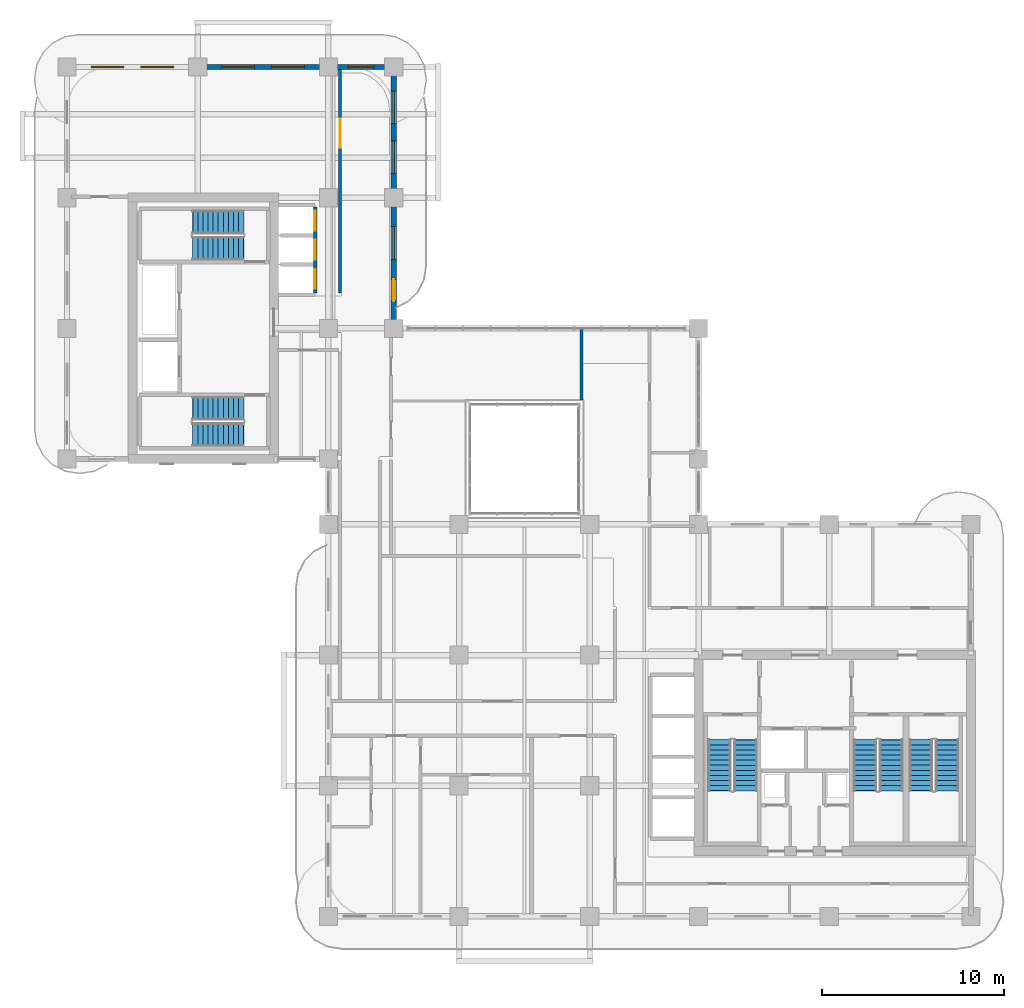
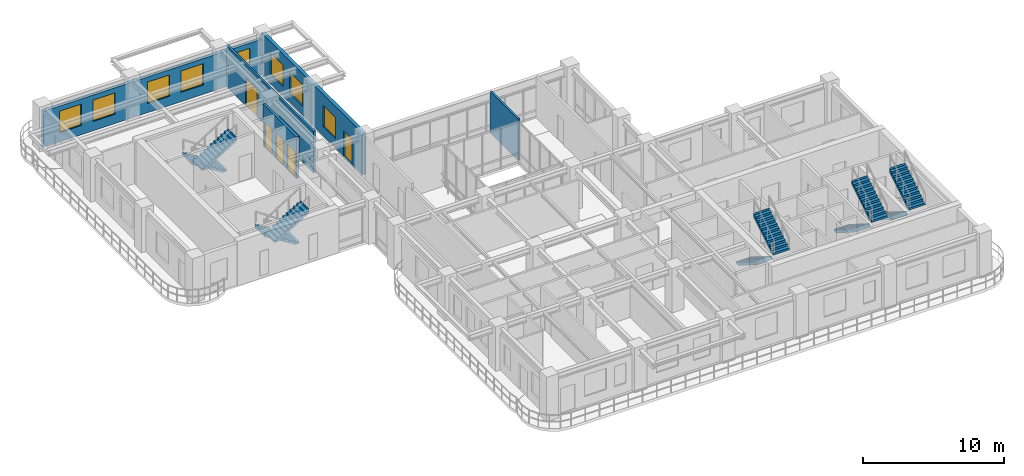
# One storey, part 15 of 19: 10 stair flights, 8 windows, 5 doors, 5 walls, 13 openings, 5 elements without a shape of their own.
"""IFC4 building model written with IfcOpenShell, lengths in metres."""

import ifcopenshell
import ifcopenshell.guid

model = None  # the IFC model being written
_history = None  # IfcOwnerHistory: only IFC2X3 demands one
_inside = {}  # id of a spatial element -> (the spatial element, [elements in it])
_under = {}  # id of a project, library or spatial element -> (it, [spatial elements below it])
_declared = {}  # id of a project -> (the project, [libraries it declares])
_typed = {}  # id of a type object -> (the type object, [elements of that type])
_made_of = {}  # id of a material, layer set ... -> (it, [elements and type objects made of it])


def new_model(schema):
    """Start an empty IFC model of exactly this schema.

    Asked for "IFC4X3", IfcOpenShell would pick the latest addendum, in which some entities
    have other attributes; the version numbers below select the first issue.
    IFC2X3 requires an IfcOwnerHistory on every rooted entity: one is made here for all.
    """
    global model, _history
    if schema == "IFC4X3":
        model = ifcopenshell.file(schema_version=(4, 3, 0, 0))
    else:
        model = ifcopenshell.file(schema=schema)
    _inside.clear()
    _under.clear()
    _declared.clear()
    _typed.clear()
    _made_of.clear()
    _history = None
    if model.schema == "IFC2X3":
        org = make("IfcOrganization", Name="unknown")
        user = make(
            "IfcPersonAndOrganization",
            ThePerson=make("IfcPerson", FamilyName="unknown"),
            TheOrganization=org,
        )
        app = make(
            "IfcApplication",
            ApplicationDeveloper=org,
            Version="unknown",
            ApplicationFullName="unknown",
            ApplicationIdentifier="unknown",
        )
        _history = make(
            "IfcOwnerHistory",
            OwningUser=user,
            OwningApplication=app,
            ChangeAction="ADDED",
            CreationDate=0,
        )
    return model


def make(cls, **values):
    """One entity of the class cls with the attributes given. An attribute that is None is left unset."""
    return model.create_entity(
        cls, **{name: value for name, value in values.items() if value is not None}
    )


def rooted(cls, **values):
    """An entity with a GlobalId (a new one), such as an element, a storey or a relation."""
    return make(cls, GlobalId=ifcopenshell.guid.new(), OwnerHistory=_history, **values)


def si_unit(unit_type, name, prefix=None):
    """IfcSIUnit, for example si_unit("LENGTHUNIT", "METRE", prefix="MILLI")."""
    return make("IfcSIUnit", UnitType=unit_type, Prefix=prefix, Name=name)


def derived_unit(unit_type, elements):
    """IfcDerivedUnit: a product of units, each with its exponent."""
    return make(
        "IfcDerivedUnit",
        Elements=[
            make("IfcDerivedUnitElement", Unit=unit, Exponent=power)
            for unit, power in elements
        ],
        UnitType=unit_type,
    )


def assignment(units):
    """IfcUnitAssignment: the units of a project."""
    return None if units is None else make("IfcUnitAssignment", Units=units)


def point(xyz):
    """IfcCartesianPoint."""
    return None if xyz is None else make("IfcCartesianPoint", Coordinates=xyz)


def direction(xyz):
    """IfcDirection."""
    return None if xyz is None else make("IfcDirection", DirectionRatios=xyz)


def frame(location, z_axis=None, x_axis=None):
    """IfcAxis2Placement3D, a coordinate frame: its origin and axes. An axis left out is left unset."""
    return make(
        "IfcAxis2Placement3D",
        Location=point(location),
        Axis=direction(z_axis),
        RefDirection=direction(x_axis),
    )


def frame_2d(location, x_axis=None):
    """IfcAxis2Placement2D, a coordinate frame in the plane: its origin and x axis."""
    return make(
        "IfcAxis2Placement2D", Location=point(location), RefDirection=direction(x_axis)
    )


def origin():
    """The frame at (0, 0, 0) with its axes left unset."""
    return frame((0.0, 0.0, 0.0))


def place(relative_to, where):
    """IfcLocalPlacement: puts the frame where relative to a parent placement (None: the world)."""
    return make(
        "IfcLocalPlacement", PlacementRelTo=relative_to, RelativePlacement=where
    )


def context(
    kind, dimensions, precision=None, world=None, true_north=None, identifier=None
):
    """IfcGeometricRepresentationContext, for example the 3D "Model" context."""
    return make(
        "IfcGeometricRepresentationContext",
        ContextIdentifier=identifier,
        ContextType=kind,
        CoordinateSpaceDimension=dimensions,
        Precision=precision,
        WorldCoordinateSystem=world,
        TrueNorth=true_north,
    )


def subcontext(parent, identifier, kind, view, scale=None):
    """IfcGeometricRepresentationSubContext, for example "Body" below "Model"."""
    return make(
        "IfcGeometricRepresentationSubContext",
        ContextIdentifier=identifier,
        ContextType=kind,
        ParentContext=parent,
        TargetScale=scale,
        TargetView=view,
    )


def project(units=None, contexts=None):
    """IfcProject with its units and contexts."""
    return rooted(
        "IfcProject",
        Name="project",
        RepresentationContexts=contexts,
        UnitsInContext=assignment(units),
    )


def spatial(cls, under=None, at=None, **own):
    """A site, building, storey or space (cls), placed at a placement, below another one or the project."""
    s = rooted(cls, ObjectPlacement=at, **own)
    if under is not None:
        _under.setdefault(under.id(), (under, []))[1].append(s)
    return s


def polyline(points):
    """IfcPolyline through the points."""
    return make("IfcPolyline", Points=[point(p) for p in points])


def profile(cls, at=None, kind="AREA", **sizes):
    """A parametric profile (cls). Its sizes go by their IFC names, for example OverallWidth=200.0."""
    return make(cls, ProfileType=kind, Position=at, **sizes)


def rectangle(**sizes):
    """IfcRectangleProfileDef."""
    return profile("IfcRectangleProfileDef", **sizes)


def outline(outer, holes=None, kind="AREA"):
    """IfcArbitraryClosedProfileDef: a profile drawn as a closed curve; with holes, ...WithVoids."""
    if holes is None:
        return make("IfcArbitraryClosedProfileDef", ProfileType=kind, OuterCurve=outer)
    return make(
        "IfcArbitraryProfileDefWithVoids",
        ProfileType=kind,
        OuterCurve=outer,
        InnerCurves=holes,
    )


def extrude(swept, where, along, depth):
    """IfcExtrudedAreaSolid: the profile swept, set in the frame where, extruded along a direction by depth."""
    return make(
        "IfcExtrudedAreaSolid",
        SweptArea=swept,
        Position=where,
        ExtrudedDirection=direction(along),
        Depth=depth,
    )


def shape(context_of_items, identifier, shape_type, items):
    """IfcShapeRepresentation: the items that make up one representation, for example the "Body"."""
    return make(
        "IfcShapeRepresentation",
        ContextOfItems=context_of_items,
        RepresentationIdentifier=identifier,
        RepresentationType=shape_type,
        Items=items,
    )


def source(mapping_origin, context_of_items, identifier, shape_type, items):
    """IfcRepresentationMap: a shape defined once, which mapped items show again and again."""
    return make(
        "IfcRepresentationMap",
        MappingOrigin=mapping_origin,
        MappedRepresentation=shape(context_of_items, identifier, shape_type, items),
    )


def transform(
    local_origin,
    x_axis=None,
    y_axis=None,
    z_axis=None,
    scale=None,
    scale2=None,
    scale3=None,
    uniform=True,
):
    """IfcCartesianTransformationOperator3D, or its non-uniform kind. x_axis, y_axis, z_axis: its Axis1, 2, 3."""
    if uniform:
        return make(
            "IfcCartesianTransformationOperator3D",
            Axis1=direction(x_axis),
            Axis2=direction(y_axis),
            LocalOrigin=point(local_origin),
            Scale=scale,
            Axis3=direction(z_axis),
        )
    return make(
        "IfcCartesianTransformationOperator3DnonUniform",
        Axis1=direction(x_axis),
        Axis2=direction(y_axis),
        LocalOrigin=point(local_origin),
        Scale=scale,
        Axis3=direction(z_axis),
        Scale2=scale2,
        Scale3=scale3,
    )


def mapped(mapping_source, mapping_target):
    """IfcMappedItem: shows the shape of a source again, moved by a transform."""
    return make(
        "IfcMappedItem", MappingSource=mapping_source, MappingTarget=mapping_target
    )


def material(Name=None, Category=None):
    """IfcMaterial."""
    return make("IfcMaterial", Name=Name, Category=Category)


def layer(
    of_material, thickness, ventilated=None, Name=None, Category=None, Priority=None
):
    """IfcMaterialLayer: one layer of a wall or slab, of a material (None: an air gap)."""
    return make(
        "IfcMaterialLayer",
        Material=of_material,
        LayerThickness=thickness,
        IsVentilated=ventilated,
        Name=Name,
        Category=Category,
        Priority=Priority,
    )


def layer_set(layers, Name=None):
    """IfcMaterialLayerSet."""
    return make("IfcMaterialLayerSet", MaterialLayers=layers, LayerSetName=Name)


def made_of(thing, what):
    """Note that an element or type object is made of a material, layer set ...; save() writes the relation."""
    if what is not None:
        _made_of.setdefault(what.id(), (what, []))[1].append(thing)
    return thing


def type_object(cls, material=None, **own):
    """A type object (cls), such as IfcWallType, which elements share."""
    return made_of(rooted(cls, **own), material)


def type_shapes(of_type, sources):
    """Give a type object the sources (RepresentationMaps) that its elements show as mapped items."""
    of_type.RepresentationMaps = sources


def element(
    cls,
    number,
    at=None,
    inside=None,
    cuts=None,
    type_object=None,
    material=None,
    context=None,
    identifier="Body",
    shape_type=None,
    held_by="IfcProductDefinitionShape",
    body=None,
    shapes=None,
    **own,
):
    """One element of the class cls, such as IfcWall. Its Tag is "e" and its number.

    at: its placement. inside: the storey or other place that contains it. cuts: it is an
    opening in that element (IfcRelVoidsElement). A single representation is given by context,
    identifier, shape_type and body (its items); several are given by shapes. held_by: the class
    of the entity that holds the representations. save() writes the other relations.
    """
    e = rooted(cls, Tag="e%d" % number, ObjectPlacement=at, **own)
    if body is not None:
        shapes = [shape(context, identifier, shape_type, body)]
    if shapes is not None:
        e.Representation = make(held_by, Representations=shapes)
    if inside is not None:
        _inside.setdefault(inside.id(), (inside, []))[1].append(e)
    if cuts is not None:
        rooted(
            "IfcRelVoidsElement", RelatingBuildingElement=cuts, RelatedOpeningElement=e
        )
    if type_object is not None:
        _typed.setdefault(type_object.id(), (type_object, []))[1].append(e)
    return made_of(e, material)


def fill(opening, filler):
    """IfcRelFillsElement: the door or window that sits in an opening."""
    return rooted(
        "IfcRelFillsElement",
        RelatingOpeningElement=opening,
        RelatedBuildingElement=filler,
    )


def aggregate(whole, parts):
    """IfcRelAggregates: a whole, such as a stair, and the parts it consists of."""
    return rooted("IfcRelAggregates", RelatingObject=whole, RelatedObjects=parts)


def save(model, path):
    """Write the relations noted so far, then the file.

    IfcRelAggregates (storeys below a building ...), IfcRelContainedInSpatialStructure (elements
    in a storey), IfcRelDefinesByType, IfcRelAssociatesMaterial and IfcRelDeclares: one each for
    every whole, place, type object, material and project.
    """
    for whole, parts in _under.values():
        aggregate(whole, parts)
    for where, things in _inside.values():
        rooted(
            "IfcRelContainedInSpatialStructure",
            RelatedElements=things,
            RelatingStructure=where,
        )
    for kind, things in _typed.values():
        rooted("IfcRelDefinesByType", RelatedObjects=things, RelatingType=kind)
    for what, things in _made_of.values():
        rooted("IfcRelAssociatesMaterial", RelatedObjects=things, RelatingMaterial=what)
    for by, libraries in _declared.values():
        rooted("IfcRelDeclares", RelatingContext=by, RelatedDefinitions=libraries)
    model.write(path)


model = new_model("IFC4")

# Units and contexts
model_context = context("Model", 3, precision=1e-05, world=origin(), true_north=direction((0.0, 1.0)))
body_context = subcontext(model_context, "Body", "Model", "MODEL_VIEW")
ifc_project = project(units=[si_unit("LENGTHUNIT", "METRE"), si_unit("AREAUNIT", "SQUARE_METRE"), si_unit("VOLUMEUNIT", "CUBIC_METRE"), si_unit("PLANEANGLEUNIT", "RADIAN"), si_unit("MASSUNIT", "GRAM", prefix="KILO"), si_unit("THERMODYNAMICTEMPERATUREUNIT", "KELVIN"), si_unit("POWERUNIT", "WATT"), derived_unit("THERMALTRANSMITTANCEUNIT", [(si_unit("POWERUNIT", "WATT"), 1), (si_unit("AREAUNIT", "SQUARE_METRE"), -1), (si_unit("THERMODYNAMICTEMPERATUREUNIT", "KELVIN"), -1)])], contexts=[model_context])

# Site, building, storey
site_placement = place(None, origin())
site = spatial("IfcSite", under=ifc_project, at=site_placement, CompositionType="ELEMENT")
building_placement = place(site_placement, origin())
building = spatial("IfcBuilding", under=site, at=building_placement, Name="Zahravan Archway Hotel and Residences", CompositionType="ELEMENT")
storey_placement = place(building_placement, frame((0.0, 0.0, 158.0)))
storey = spatial("IfcBuildingStorey", under=building, at=storey_placement, Name="L39", CompositionType="ELEMENT", Elevation=158.0)

# Wall, openings, windows
ifc_material_1 = material(Name="Honed Red-Ochre Sandstone & Insulated Block", Category="masonry")
ifc_layer_1 = layer(ifc_material_1, 0.280029296875, Name="Honed Red-Ochre Sandstone & Insulated Block", Category="masonry")
ifc_layer_set_1 = layer_set([ifc_layer_1], Name="Honed Red-Ochre Sandstone & Insulated Block")
wall_type_1 = type_object("IfcWallType", Name="EW-LOG-280", PredefinedType="SOLIDWALL", material=ifc_layer_set_1)
wall_1_placement = place(storey_placement, frame((0.0, 46.800048828125, 0.0), z_axis=(0.0, 0.0, 1.0), x_axis=(1.0, 0.0, 0.0)))
wall_1 = element("IfcWall", 1, at=wall_1_placement, inside=storey, type_object=wall_type_1, Name="L39 Exterior Sandstone Wall WB-N", PredefinedType="SOLIDWALL", context=body_context, shape_type="SweptSolid", body=[
    extrude(rectangle(XDim=18.0, YDim=0.280029296875, at=frame_2d((9.0, 0.0))), origin(), (0.0, 0.0, 1.0), 3.0849609375),
])
opening_1_placement = place(wall_1_placement, frame((1.324951171875, 0.0, 0.800048828125)))
opening_1 = element("IfcOpeningElement", 2, at=opening_1_placement, cuts=wall_1, Name="Opening W-02", PredefinedType="OPENING", context=body_context, shape_type="SweptSolid", body=[
    extrude(rectangle(XDim=1.800048828125, YDim=1.85009765625, at=frame_2d((0.89990234375, 0.925048828125))), frame((0.0, 0.14990234375, 0.0), z_axis=(0.0, -1.0, 0.0), x_axis=(1.0, 0.0, 0.0)), (0.0, 0.0, 1.0), 0.300048828125),
])
opening_2_placement = place(wall_1_placement, frame((4.074951171875, 0.0, 0.800048828125)))
opening_2 = element("IfcOpeningElement", 3, at=opening_2_placement, cuts=wall_1, Name="Opening W-02", PredefinedType="OPENING", context=body_context, shape_type="SweptSolid", body=[
    extrude(rectangle(XDim=1.800048828125, YDim=1.85009765625, at=frame_2d((0.89990234375, 0.925048828125))), frame((0.0, 0.14990234375, 0.0), z_axis=(0.0, -1.0, 0.0), x_axis=(1.0, 0.0, 0.0)), (0.0, 0.0, 1.0), 0.300048828125),
])
opening_3_placement = place(wall_1_placement, frame((8.52490234375, 0.0, 0.800048828125)))
opening_3 = element("IfcOpeningElement", 4, at=opening_3_placement, cuts=wall_1, Name="Opening W-02", PredefinedType="OPENING", context=body_context, shape_type="SweptSolid", body=[
    extrude(rectangle(XDim=1.800048828125, YDim=1.85009765625, at=frame_2d((0.89990234375, 0.925048828125))), frame((0.0, 0.14990234375, 0.0), z_axis=(0.0, -1.0, 0.0), x_axis=(1.0, 0.0, 0.0)), (0.0, 0.0, 1.0), 0.300048828125),
])
opening_4_placement = place(wall_1_placement, frame((11.27490234375, 0.0, 0.800048828125)))
opening_4 = element("IfcOpeningElement", 5, at=opening_4_placement, cuts=wall_1, Name="Opening W-02", PredefinedType="OPENING", context=body_context, shape_type="SweptSolid", body=[
    extrude(rectangle(XDim=1.800048828125, YDim=1.85009765625, at=frame_2d((0.89990234375, 0.925048828125))), frame((0.0, 0.14990234375, 0.0), z_axis=(0.0, -1.0, 0.0), x_axis=(1.0, 0.0, 0.0)), (0.0, 0.0, 1.0), 0.300048828125),
])
opening_5_placement = place(wall_1_placement, frame((15.5, 0.0, 0.800048828125)))
opening_5 = element("IfcOpeningElement", 6, at=opening_5_placement, cuts=wall_1, Name="Opening W-03", PredefinedType="OPENING", context=body_context, shape_type="SweptSolid", body=[
    extrude(rectangle(XDim=1.39990234375, YDim=1.85009765625, at=frame_2d((0.699951171875, 0.925048828125))), frame((0.0, 0.14990234375, 0.0), z_axis=(0.0, -1.0, 0.0), x_axis=(1.0, 0.0, 0.0)), (0.0, 0.0, 1.0), 0.300048828125),
])
ifc_material_2 = material(Name="Bronze-Anodized Thermal-Break Aluminium & Low-E Glass", Category="aluminium")
window_type_1 = type_object("IfcWindowType", Name="WIN-TWR-1400", PartitioningType="SINGLE_PANEL", PredefinedType="WINDOW", material=ifc_material_2)
shared_shape_1 = source(origin(), body_context, "Body", "SweptSolid", [
    extrude(rectangle(XDim=1.39990234375, YDim=1.85009765625, at=frame_2d((0.699951171875, 0.925048828125))), frame((0.0, 0.030029296875, 0.0), z_axis=(0.0, -1.0, 0.0), x_axis=(1.0, 0.0, 0.0)), (0.0, 0.0, 1.0), 0.06005859375),
])
type_shapes(window_type_1, [shared_shape_1])
window_1_placement = place(opening_5_placement, origin())
window_1 = element("IfcWindow", 7, at=window_1_placement, inside=storey, type_object=window_type_1, Name="L39 Loggia Window 30", OverallHeight=1.85009765625, OverallWidth=1.39990234375, PartitioningType="SINGLE_PANEL", PredefinedType="WINDOW", context=body_context, shape_type="MappedRepresentation", body=[
    mapped(shared_shape_1, transform((0.0, 0.0, 0.0), scale=1.0)),
])
fill(opening_5, window_1)
window_type_2 = type_object("IfcWindowType", Name="WIN-TWR-1800", PartitioningType="DOUBLE_PANEL_VERTICAL", PredefinedType="WINDOW", material=ifc_material_2)
shared_shape_2 = source(origin(), body_context, "Body", "SweptSolid", [
    extrude(rectangle(XDim=1.800048828125, YDim=1.85009765625, at=frame_2d((0.89990234375, 0.925048828125))), frame((0.0, 0.030029296875, 0.0), z_axis=(0.0, -1.0, 0.0), x_axis=(1.0, 0.0, 0.0)), (0.0, 0.0, 1.0), 0.06005859375),
])
type_shapes(window_type_2, [shared_shape_2])
window_2_placement = place(opening_1_placement, origin())
window_2 = element("IfcWindow", 8, at=window_2_placement, inside=storey, type_object=window_type_2, Name="L39 Loggia Window 26", OverallHeight=1.85009765625, OverallWidth=1.800048828125, PartitioningType="DOUBLE_PANEL_VERTICAL", PredefinedType="WINDOW", context=body_context, shape_type="MappedRepresentation", body=[
    mapped(shared_shape_2, transform((0.0, 0.0, 0.0), scale=1.0)),
])
fill(opening_1, window_2)
window_3_placement = place(opening_2_placement, origin())
window_3 = element("IfcWindow", 9, at=window_3_placement, inside=storey, type_object=window_type_2, Name="L39 Loggia Window 27", OverallHeight=1.85009765625, OverallWidth=1.800048828125, PartitioningType="DOUBLE_PANEL_VERTICAL", PredefinedType="WINDOW", context=body_context, shape_type="MappedRepresentation", body=[
    mapped(shared_shape_2, transform((0.0, 0.0, 0.0), scale=1.0)),
])
fill(opening_2, window_3)
window_4_placement = place(opening_3_placement, origin())
window_4 = element("IfcWindow", 10, at=window_4_placement, inside=storey, type_object=window_type_2, Name="L39 Loggia Window 28", OverallHeight=1.85009765625, OverallWidth=1.800048828125, PartitioningType="DOUBLE_PANEL_VERTICAL", PredefinedType="WINDOW", context=body_context, shape_type="MappedRepresentation", body=[
    mapped(shared_shape_2, transform((0.0, 0.0, 0.0), scale=1.0)),
])
fill(opening_3, window_4)
window_5_placement = place(opening_4_placement, origin())
window_5 = element("IfcWindow", 11, at=window_5_placement, inside=storey, type_object=window_type_2, Name="L39 Loggia Window 29", OverallHeight=1.85009765625, OverallWidth=1.800048828125, PartitioningType="DOUBLE_PANEL_VERTICAL", PredefinedType="WINDOW", context=body_context, shape_type="MappedRepresentation", body=[
    mapped(shared_shape_2, transform((0.0, 0.0, 0.0), scale=1.0)),
])
fill(opening_4, window_5)

# Wall, openings, door, windows
wall_2_placement = place(storey_placement, frame((18.0, 32.39990234375, 0.0), z_axis=(0.0, 0.0, 1.0), x_axis=(0.0, 1.0, 0.0)))
wall_2 = element("IfcWall", 12, at=wall_2_placement, inside=storey, type_object=wall_type_1, Name="L39 Exterior Sandstone Wall WB-EU", PredefinedType="SOLIDWALL", context=body_context, shape_type="SweptSolid", body=[
    extrude(rectangle(XDim=14.35009765625, YDim=0.280029296875, at=frame_2d((7.175048828125, 0.0))), origin(), (0.0, 0.0, 1.0), 3.60009765625),
])
opening_6_placement = place(wall_2_placement, frame((1.5, 0.0, 0.0)))
opening_6 = element("IfcOpeningElement", 13, at=opening_6_placement, cuts=wall_2, Name="Opening ED-BL1", PredefinedType="OPENING", context=body_context, shape_type="SweptSolid", body=[
    extrude(rectangle(XDim=1.199951171875, YDim=2.199951171875, at=frame_2d((0.60009765625, 1.10009765625))), frame((0.0, 0.14990234375, 0.0), z_axis=(0.0, -1.0, 0.0), x_axis=(1.0, 0.0, 0.0)), (0.0, 0.0, 1.0), 0.300048828125),
])
opening_7_placement = place(wall_2_placement, frame((3.800048828125, 0.0, 0.800048828125)))
opening_7 = element("IfcOpeningElement", 14, at=opening_7_placement, cuts=wall_2, Name="Opening W-02", PredefinedType="OPENING", context=body_context, shape_type="SweptSolid", body=[
    extrude(rectangle(XDim=1.800048828125, YDim=1.85009765625, at=frame_2d((0.89990234375, 0.925048828125))), frame((0.0, 0.14990234375, 0.0), z_axis=(0.0, -1.0, 0.0), x_axis=(1.0, 0.0, 0.0)), (0.0, 0.0, 1.0), 0.300048828125),
])
opening_8_placement = place(wall_2_placement, frame((8.52490234375, 0.0, 0.800048828125)))
opening_8 = element("IfcOpeningElement", 15, at=opening_8_placement, cuts=wall_2, Name="Opening W-02", PredefinedType="OPENING", context=body_context, shape_type="SweptSolid", body=[
    extrude(rectangle(XDim=1.800048828125, YDim=1.85009765625, at=frame_2d((0.89990234375, 0.925048828125))), frame((0.0, 0.14990234375, 0.0), z_axis=(0.0, -1.0, 0.0), x_axis=(1.0, 0.0, 0.0)), (0.0, 0.0, 1.0), 0.300048828125),
])
opening_9_placement = place(wall_2_placement, frame((11.27490234375, 0.0, 0.800048828125)))
opening_9 = element("IfcOpeningElement", 16, at=opening_9_placement, cuts=wall_2, Name="Opening W-02", PredefinedType="OPENING", context=body_context, shape_type="SweptSolid", body=[
    extrude(rectangle(XDim=1.800048828125, YDim=1.85009765625, at=frame_2d((0.89990234375, 0.925048828125))), frame((0.0, 0.14990234375, 0.0), z_axis=(0.0, -1.0, 0.0), x_axis=(1.0, 0.0, 0.0)), (0.0, 0.0, 1.0), 0.300048828125),
])
ifc_material_3 = material(Name="Bronze-Anodized Glazed Aluminium", Category="aluminium")
door_type_1 = type_object("IfcDoorType", Name="ED-BALC-1200", OperationType="SLIDING_TO_LEFT", PredefinedType="DOOR", material=ifc_material_3)
shared_shape_3 = source(origin(), body_context, "Body", "SweptSolid", [
    extrude(rectangle(XDim=1.199951171875, YDim=2.199951171875, at=frame_2d((0.60009765625, 1.10009765625))), frame((0.0, 0.02490234375, 0.0), z_axis=(0.0, -1.0, 0.0), x_axis=(1.0, 0.0, 0.0)), (0.0, 0.0, 1.0), 0.050048828125),
])
type_shapes(door_type_1, [shared_shape_3])
door_1_placement = place(opening_6_placement, origin())
door_1 = element("IfcDoor", 17, at=door_1_placement, inside=storey, type_object=door_type_1, Name="L39 Outdoor Access Sliding Door (SLB-BAL-L39-EB)", OperationType="SLIDING_TO_LEFT", OverallHeight=2.199951171875, OverallWidth=1.199951171875, PredefinedType="DOOR", context=body_context, shape_type="MappedRepresentation", body=[
    mapped(shared_shape_3, transform((0.0, 0.0, 0.0), scale=1.0)),
])
fill(opening_6, door_1)
window_6_placement = place(opening_7_placement, origin())
window_6 = element("IfcWindow", 18, at=window_6_placement, inside=storey, type_object=window_type_2, Name="L39 Loggia Window 31", OverallHeight=1.85009765625, OverallWidth=1.800048828125, PartitioningType="DOUBLE_PANEL_VERTICAL", PredefinedType="WINDOW", context=body_context, shape_type="MappedRepresentation", body=[
    mapped(shared_shape_2, transform((0.0, 0.0, 0.0), scale=1.0)),
])
fill(opening_7, window_6)
window_7_placement = place(opening_8_placement, origin())
window_7 = element("IfcWindow", 19, at=window_7_placement, inside=storey, type_object=window_type_2, Name="L39 Loggia Window 32", OverallHeight=1.85009765625, OverallWidth=1.800048828125, PartitioningType="DOUBLE_PANEL_VERTICAL", PredefinedType="WINDOW", context=body_context, shape_type="MappedRepresentation", body=[
    mapped(shared_shape_2, transform((0.0, 0.0, 0.0), scale=1.0)),
])
fill(opening_8, window_7)
window_8_placement = place(opening_9_placement, origin())
window_8 = element("IfcWindow", 20, at=window_8_placement, inside=storey, type_object=window_type_2, Name="L39 Loggia Window 33", OverallHeight=1.85009765625, OverallWidth=1.800048828125, PartitioningType="DOUBLE_PANEL_VERTICAL", PredefinedType="WINDOW", context=body_context, shape_type="MappedRepresentation", body=[
    mapped(shared_shape_2, transform((0.0, 0.0, 0.0), scale=1.0)),
])
fill(opening_9, window_8)

# Wall, opening, door
ifc_material_4 = material(Name="Fire-Rated Gypsum & Concrete Block", Category="concrete")
ifc_layer_2 = layer(ifc_material_4, 0.159912109375, Name="Fire-Rated Gypsum & Concrete Block", Category="concrete")
ifc_layer_set_2 = layer_set([ifc_layer_2], Name="Fire-Rated Gypsum & Concrete Block")
wall_type_2 = type_object("IfcWallType", Name="PW-CORR-160", PredefinedType="PARTITIONING", material=ifc_layer_set_2)
wall_3_placement = place(storey_placement, frame((15.050048828125, 34.340087890625, 0.0), z_axis=(0.0, 0.0, 1.0), x_axis=(0.0, 1.0, 0.0)))
wall_3 = element("IfcWall", 21, at=wall_3_placement, inside=storey, type_object=wall_type_2, Name="L39 Partition WBN-C", PredefinedType="PARTITIONING", context=body_context, shape_type="SweptSolid", body=[
    extrude(rectangle(XDim=12.31201171875, YDim=0.159912109375, at=frame_2d((6.156005859375, 0.0))), origin(), (0.0, 0.0, 1.0), 3.60009765625),
])
opening_10_placement = place(wall_3_placement, frame((8.010009765625, 0.0, 0.0)))
opening_10 = element("IfcOpeningElement", 22, at=opening_10_placement, cuts=wall_3, Name="Opening D-P2", PredefinedType="OPENING", context=body_context, shape_type="SweptSolid", body=[
    extrude(rectangle(XDim=1.60009765625, YDim=2.39990234375, at=frame_2d((0.800048828125, 1.199951171875))), frame((0.0, 0.08984375, 0.0), z_axis=(0.0, -1.0, 0.0), x_axis=(1.0, 0.0, 0.0)), (0.0, 0.0, 1.0), 0.179931640625),
])
door_type_2 = type_object("IfcDoorType", Name="ID-PUBLIC-1600", OperationType="DOUBLE_DOOR_SINGLE_SWING", PredefinedType="DOOR", material=ifc_material_3)
shared_shape_4 = source(origin(), body_context, "Body", "SweptSolid", [
    extrude(rectangle(XDim=1.60009765625, YDim=2.39990234375, at=frame_2d((0.800048828125, 1.199951171875))), frame((0.0, 0.02490234375, 0.0), z_axis=(0.0, -1.0, 0.0), x_axis=(1.0, 0.0, 0.0)), (0.0, 0.0, 1.0), 0.050048828125),
])
type_shapes(door_type_2, [shared_shape_4])
door_2_placement = place(opening_10_placement, origin())
door_2 = element("IfcDoor", 23, at=door_2_placement, inside=storey, type_object=door_type_2, Name="L39 North Wing Spa Salon Door", OperationType="DOUBLE_DOOR_SINGLE_SWING", OverallHeight=2.39990234375, OverallWidth=1.60009765625, PredefinedType="DOOR", context=body_context, shape_type="MappedRepresentation", body=[
    mapped(shared_shape_4, transform((0.0, 0.0, 0.0), scale=1.0)),
])
fill(opening_10, door_2)

# Wall
wall_4_placement = place(storey_placement, frame((28.35009765625, 28.43994140625, 0.0), z_axis=(0.0, 0.0, 1.0), x_axis=(0.0, 1.0, 0.0)))
element("IfcWall", 24, at=wall_4_placement, inside=storey, type_object=wall_type_2, Name="L39 Partition ATR-NWE", PredefinedType="PARTITIONING", context=body_context, shape_type="SweptSolid", body=[
    extrude(rectangle(XDim=3.93212890625, YDim=0.159912109375, at=frame_2d((1.966064453125, 0.0))), origin(), (0.0, 0.0, 1.0), 3.60009765625),
])

# Wall, openings, doors
ifc_layer_3 = layer(ifc_material_4, 0.199951171875, Name="Fire-Rated Gypsum & Concrete Block", Category="concrete")
ifc_layer_set_3 = layer_set([ifc_layer_3], Name="Fire-Rated Gypsum & Concrete Block")
wall_type_3 = type_object("IfcWallType", Name="PW-SHAFT-200", PredefinedType="PARTITIONING", material=ifc_layer_set_3)
wall_5_placement = place(storey_placement, frame((13.679931640625, 34.360107421875, 0.0), z_axis=(0.0, 0.0, 1.0), x_axis=(0.0, 1.0, 0.0)))
wall_5 = element("IfcWall", 25, at=wall_5_placement, inside=storey, type_object=wall_type_3, Name="L39 Partition B2-E", PredefinedType="PARTITIONING", context=body_context, shape_type="SweptSolid", body=[
    extrude(rectangle(XDim=4.719970703125, YDim=0.199951171875, at=frame_2d((2.35986328125, 0.0))), origin(), (0.0, 0.0, 1.0), 3.60009765625),
])
opening_11_placement = place(wall_5_placement, frame((0.2099609375, 0.0, 0.0)))
opening_11 = element("IfcOpeningElement", 26, at=opening_11_placement, cuts=wall_5, Name="Opening LD", PredefinedType="OPENING", context=body_context, shape_type="SweptSolid", body=[
    extrude(rectangle(XDim=1.10009765625, YDim=2.199951171875, at=frame_2d((0.550048828125, 1.10009765625))), frame((0.0, 0.10986328125, 0.0), z_axis=(0.0, -1.0, 0.0), x_axis=(1.0, 0.0, 0.0)), (0.0, 0.0, 1.0), 0.219970703125),
])
opening_12_placement = place(wall_5_placement, frame((1.81005859375, 0.0, 0.0)))
opening_12 = element("IfcOpeningElement", 27, at=opening_12_placement, cuts=wall_5, Name="Opening LD", PredefinedType="OPENING", context=body_context, shape_type="SweptSolid", body=[
    extrude(rectangle(XDim=1.10009765625, YDim=2.199951171875, at=frame_2d((0.550048828125, 1.10009765625))), frame((0.0, 0.10986328125, 0.0), z_axis=(0.0, -1.0, 0.0), x_axis=(1.0, 0.0, 0.0)), (0.0, 0.0, 1.0), 0.219970703125),
])
opening_13_placement = place(wall_5_placement, frame((3.409912109375, 0.0, 0.0)))
opening_13 = element("IfcOpeningElement", 28, at=opening_13_placement, cuts=wall_5, Name="Opening LD", PredefinedType="OPENING", context=body_context, shape_type="SweptSolid", body=[
    extrude(rectangle(XDim=1.10009765625, YDim=2.199951171875, at=frame_2d((0.550048828125, 1.10009765625))), frame((0.0, 0.10986328125, 0.0), z_axis=(0.0, -1.0, 0.0), x_axis=(1.0, 0.0, 0.0)), (0.0, 0.0, 1.0), 0.219970703125),
])
ifc_material_5 = material(Name="Brushed Stainless Steel", Category="steel")
door_type_3 = type_object("IfcDoorType", Name="DR-LIFT-LD", OperationType="SLIDING_TO_LEFT", PredefinedType="DOOR", material=ifc_material_5)
shared_shape_5 = source(origin(), body_context, "Body", "SweptSolid", [
    extrude(rectangle(XDim=1.10009765625, YDim=2.199951171875, at=frame_2d((0.550048828125, 1.10009765625))), frame((0.0, 0.02490234375, 0.0), z_axis=(0.0, -1.0, 0.0), x_axis=(1.0, 0.0, 0.0)), (0.0, 0.0, 1.0), 0.050048828125),
])
type_shapes(door_type_3, [shared_shape_5])
door_3_placement = place(opening_11_placement, origin())
door_3 = element("IfcDoor", 29, at=door_3_placement, inside=storey, type_object=door_type_3, Name="L39 Lift LP-4 Sliding Landing Door", OperationType="SLIDING_TO_LEFT", OverallHeight=2.199951171875, OverallWidth=1.10009765625, PredefinedType="DOOR", context=body_context, shape_type="MappedRepresentation", body=[
    mapped(shared_shape_5, transform((0.0, 0.0, 0.0), scale=1.0)),
])
fill(opening_11, door_3)
door_4_placement = place(opening_12_placement, origin())
door_4 = element("IfcDoor", 30, at=door_4_placement, inside=storey, type_object=door_type_3, Name="L39 Lift LP-5 Sliding Landing Door", OperationType="SLIDING_TO_LEFT", OverallHeight=2.199951171875, OverallWidth=1.10009765625, PredefinedType="DOOR", context=body_context, shape_type="MappedRepresentation", body=[
    mapped(shared_shape_5, transform((0.0, 0.0, 0.0), scale=1.0)),
])
fill(opening_12, door_4)
door_5_placement = place(opening_13_placement, origin())
door_5 = element("IfcDoor", 31, at=door_5_placement, inside=storey, type_object=door_type_3, Name="L39 Lift LP-6 Sliding Landing Door", OperationType="SLIDING_TO_LEFT", OverallHeight=2.199951171875, OverallWidth=1.10009765625, PredefinedType="DOOR", context=body_context, shape_type="MappedRepresentation", body=[
    mapped(shared_shape_5, transform((0.0, 0.0, 0.0), scale=1.0)),
])
fill(opening_13, door_5)

# Stair, stair flights
ifc_material_6 = material(Name="Concrete C50/60", Category="concrete")
stair_type = type_object("IfcStairType", Name="STR-CORE-1300", PredefinedType="HALF_TURN_STAIR", material=ifc_material_6)
stair_1_placement = place(storey_placement, origin())
stair_1 = element("IfcStair", 32, at=stair_1_placement, inside=storey, type_object=stair_type, Name="L39 Core A Exit Stair 1", PredefinedType="HALF_TURN_STAIR")
ifc_layer_4 = layer(ifc_material_6, 0.199951171875, Name="Concrete C50/60", Category="concrete")
ifc_layer_set_4 = layer_set([ifc_layer_4], Name="Concrete C50/60")
stair_flight_type = type_object("IfcStairFlightType", Name="SFL-CORE-1300", PredefinedType="STRAIGHT", material=ifc_layer_set_4)
shared_shape_6 = source(origin(), body_context, "Body", "SweptSolid", [
    extrude(outline(polyline([(-0.01611328125, 0.0), (-0.01611328125, 0.175048828125), (0.280029296875, 0.175048828125), (0.280029296875, 0.35009765625), (0.56005859375, 0.35009765625), (0.56005859375, 0.52490234375), (0.840087890625, 0.52490234375), (0.840087890625, 0.699951171875), (1.1201171875, 0.699951171875), (1.1201171875, 0.875), (1.39990234375, 0.875), (1.39990234375, 1.050048828125), (1.679931640625, 1.050048828125), (1.679931640625, 1.22509765625), (1.9599609375, 1.22509765625), (1.9599609375, 1.39990234375), (2.239990234375, 1.39990234375), (2.239990234375, 1.574951171875), (2.52001953125, 1.574951171875), (2.52001953125, 1.75), (2.800048828125, 1.75), (2.800048828125, 1.925048828125), (2.816162109375, 1.925048828125), (2.816162109375, 1.5732421875), (0.28271484375, 0.0), (-0.01611328125, 0.0)])), frame((0.0, 0.64990234375, 0.0), z_axis=(0.0, -1.0, 0.0), x_axis=(1.0, 0.0, 0.0)), (0.0, 0.0, 1.0), 1.300048828125),
])
stair_flight_1_placement = place(storey_placement, frame((35.949951171875, 9.72998046875, 0.0), z_axis=(0.0, 0.0, 1.0), x_axis=(0.0, -1.0, 0.0)))
stair_flight_1 = element("IfcStairFlight", 33, at=stair_flight_1_placement, type_object=stair_flight_type, Name="ST-A1 flight 1", NumberOfRisers=11, NumberOfTreads=10, PredefinedType="STRAIGHT", RiserHeight=0.175, TreadLength=0.28, context=body_context, shape_type="MappedRepresentation", body=[
    mapped(shared_shape_6, transform((0.0, 0.0, 0.0), scale=1.0)),
])
stair_flight_2_placement = place(storey_placement, frame((37.389892578125, 6.929931640625, 1.925048828125), z_axis=(0.0, 0.0, 1.0), x_axis=(0.0, 1.0, 0.0)))
stair_flight_2 = element("IfcStairFlight", 34, at=stair_flight_2_placement, type_object=stair_flight_type, Name="ST-A1 flight 2", NumberOfRisers=11, NumberOfTreads=10, PredefinedType="STRAIGHT", RiserHeight=0.175, TreadLength=0.28, context=body_context, shape_type="MappedRepresentation", body=[
    mapped(shared_shape_6, transform((0.0, 0.0, 0.0), scale=1.0)),
])
aggregate(stair_1, [stair_flight_1, stair_flight_2])

stair_2_placement = place(storey_placement, origin())
stair_2 = element("IfcStair", 35, at=stair_2_placement, inside=storey, type_object=stair_type, Name="L39 Core A Exit Stair 2", PredefinedType="HALF_TURN_STAIR")
stair_flight_3_placement = place(storey_placement, frame((43.969970703125, 9.72998046875, 0.0), z_axis=(0.0, 0.0, 1.0), x_axis=(0.0, -1.0, 0.0)))
stair_flight_3 = element("IfcStairFlight", 36, at=stair_flight_3_placement, type_object=stair_flight_type, Name="ST-A2 flight 1", NumberOfRisers=11, NumberOfTreads=10, PredefinedType="STRAIGHT", RiserHeight=0.175, TreadLength=0.28, context=body_context, shape_type="MappedRepresentation", body=[
    mapped(shared_shape_6, transform((0.0, 0.0, 0.0), scale=1.0)),
])
stair_flight_4_placement = place(storey_placement, frame((45.409912109375, 6.929931640625, 1.925048828125), z_axis=(0.0, 0.0, 1.0), x_axis=(0.0, 1.0, 0.0)))
stair_flight_4 = element("IfcStairFlight", 37, at=stair_flight_4_placement, type_object=stair_flight_type, Name="ST-A2 flight 2", NumberOfRisers=11, NumberOfTreads=10, PredefinedType="STRAIGHT", RiserHeight=0.175, TreadLength=0.28, context=body_context, shape_type="MappedRepresentation", body=[
    mapped(shared_shape_6, transform((0.0, 0.0, 0.0), scale=1.0)),
])
aggregate(stair_2, [stair_flight_3, stair_flight_4])

stair_3_placement = place(storey_placement, origin())
stair_3 = element("IfcStair", 38, at=stair_3_placement, inside=storey, type_object=stair_type, Name="L39 Core A Exit Stair 3", PredefinedType="HALF_TURN_STAIR")
stair_flight_5_placement = place(storey_placement, frame((47.050048828125, 9.72998046875, 0.0), z_axis=(0.0, 0.0, 1.0), x_axis=(0.0, -1.0, 0.0)))
stair_flight_5 = element("IfcStairFlight", 39, at=stair_flight_5_placement, type_object=stair_flight_type, Name="ST-A3 flight 1", NumberOfRisers=11, NumberOfTreads=10, PredefinedType="STRAIGHT", RiserHeight=0.175, TreadLength=0.28, context=body_context, shape_type="MappedRepresentation", body=[
    mapped(shared_shape_6, transform((0.0, 0.0, 0.0), scale=1.0)),
])
stair_flight_6_placement = place(storey_placement, frame((48.489990234375, 6.929931640625, 1.925048828125), z_axis=(0.0, 0.0, 1.0), x_axis=(0.0, 1.0, 0.0)))
stair_flight_6 = element("IfcStairFlight", 40, at=stair_flight_6_placement, type_object=stair_flight_type, Name="ST-A3 flight 2", NumberOfRisers=11, NumberOfTreads=10, PredefinedType="STRAIGHT", RiserHeight=0.175, TreadLength=0.28, context=body_context, shape_type="MappedRepresentation", body=[
    mapped(shared_shape_6, transform((0.0, 0.0, 0.0), scale=1.0)),
])
aggregate(stair_3, [stair_flight_5, stair_flight_6])

stair_4_placement = place(storey_placement, origin())
stair_4 = element("IfcStair", 41, at=stair_4_placement, inside=storey, type_object=stair_type, Name="L39 Core B Exit Stair 1", PredefinedType="HALF_TURN_STAIR")
stair_flight_7_placement = place(storey_placement, frame((9.72998046875, 27.989990234375, 0.0), z_axis=(0.0, 0.0, 1.0), x_axis=(-1.0, 0.0, 0.0)))
stair_flight_7 = element("IfcStairFlight", 42, at=stair_flight_7_placement, type_object=stair_flight_type, Name="ST-B1 flight 1", NumberOfRisers=11, NumberOfTreads=10, PredefinedType="STRAIGHT", RiserHeight=0.175, TreadLength=0.28, context=body_context, shape_type="MappedRepresentation", body=[
    mapped(shared_shape_6, transform((0.0, 0.0, 0.0), scale=1.0)),
])
stair_flight_8_placement = place(storey_placement, frame((6.929931640625, 26.550048828125, 1.925048828125), z_axis=(0.0, 0.0, 1.0), x_axis=(1.0, 0.0, 0.0)))
stair_flight_8 = element("IfcStairFlight", 43, at=stair_flight_8_placement, type_object=stair_flight_type, Name="ST-B1 flight 2", NumberOfRisers=11, NumberOfTreads=10, PredefinedType="STRAIGHT", RiserHeight=0.175, TreadLength=0.28, context=body_context, shape_type="MappedRepresentation", body=[
    mapped(shared_shape_6, transform((0.0, 0.0, 0.0), scale=1.0)),
])
aggregate(stair_4, [stair_flight_7, stair_flight_8])

stair_5_placement = place(storey_placement, origin())
stair_5 = element("IfcStair", 44, at=stair_5_placement, inside=storey, type_object=stair_type, Name="L39 Core B Exit Stair 2", PredefinedType="HALF_TURN_STAIR")
stair_flight_9_placement = place(storey_placement, frame((9.72998046875, 38.25, 0.0), z_axis=(0.0, 0.0, 1.0), x_axis=(-1.0, 0.0, 0.0)))
stair_flight_9 = element("IfcStairFlight", 45, at=stair_flight_9_placement, type_object=stair_flight_type, Name="ST-B2 flight 1", NumberOfRisers=11, NumberOfTreads=10, PredefinedType="STRAIGHT", RiserHeight=0.175, TreadLength=0.28, context=body_context, shape_type="MappedRepresentation", body=[
    mapped(shared_shape_6, transform((0.0, 0.0, 0.0), scale=1.0)),
])
stair_flight_10_placement = place(storey_placement, frame((6.929931640625, 36.81005859375, 1.925048828125), z_axis=(0.0, 0.0, 1.0), x_axis=(1.0, 0.0, 0.0)))
stair_flight_10 = element("IfcStairFlight", 46, at=stair_flight_10_placement, type_object=stair_flight_type, Name="ST-B2 flight 2", NumberOfRisers=11, NumberOfTreads=10, PredefinedType="STRAIGHT", RiserHeight=0.175, TreadLength=0.28, context=body_context, shape_type="MappedRepresentation", body=[
    mapped(shared_shape_6, transform((0.0, 0.0, 0.0), scale=1.0)),
])
aggregate(stair_5, [stair_flight_9, stair_flight_10])

save(model, "model.ifc")
